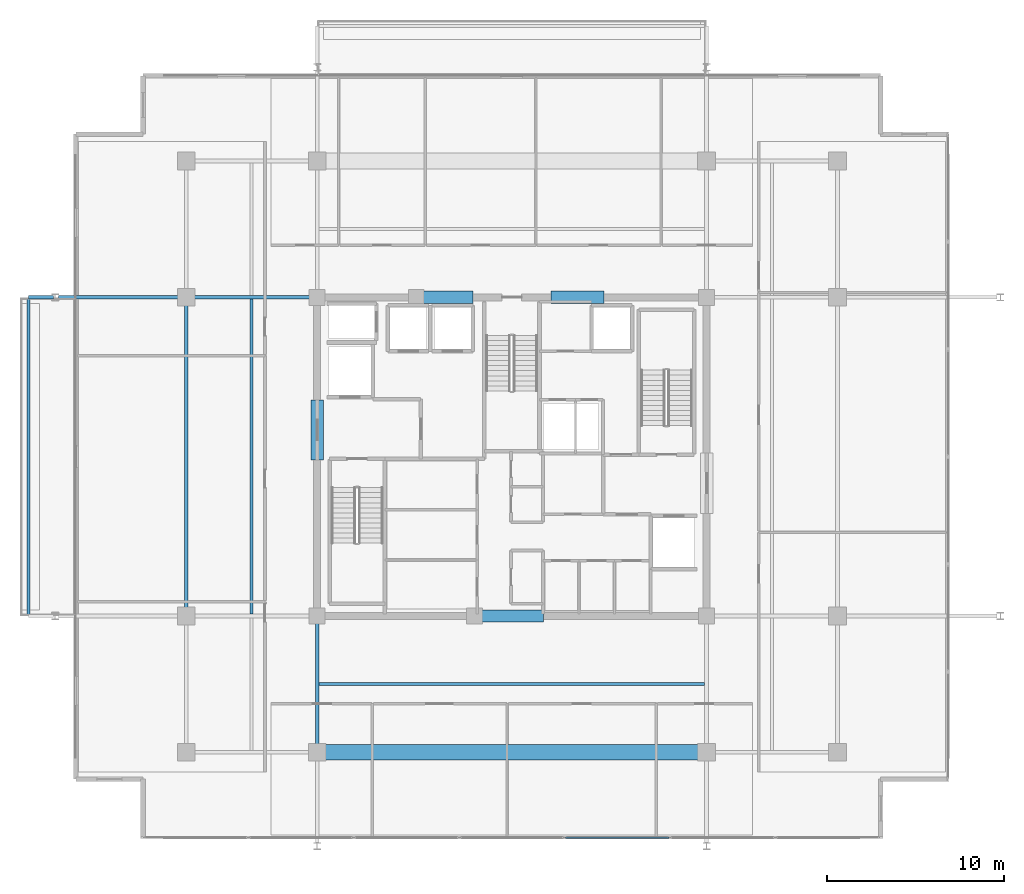
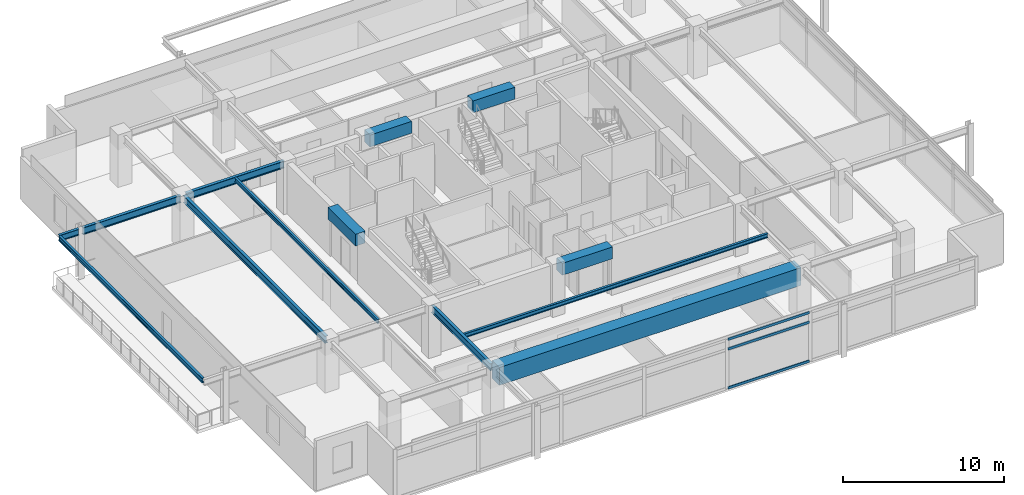
# One storey, part 5 of 20: 13 beams, 3 members, 1 element without a shape of its own.
"""IFC4 building model written with IfcOpenShell, lengths in metres."""

from ifc_helpers import new_model, si_unit, direction, frame, origin, origin_2d, place, context, subcontext, project, spatial, rectangle, hollow_rectangle, i_section, extrude, material, material_profile, profile_set, type_object, element, aggregate, save


model = new_model("IFC4")

# Units and contexts
model_context = context("Model", 3, precision=1e-05, world=origin(), true_north=direction((0.0, 1.0)))
body_context = subcontext(model_context, "Body", "Model", "MODEL_VIEW")
ifc_project = project(units=[si_unit("LENGTHUNIT", "METRE"), si_unit("AREAUNIT", "SQUARE_METRE"), si_unit("VOLUMEUNIT", "CUBIC_METRE"), si_unit("PLANEANGLEUNIT", "RADIAN"), si_unit("MASSUNIT", "GRAM", prefix="KILO")], contexts=[model_context])

# Site, building, storey
site_placement = place(None, origin())
site = spatial("IfcSite", under=ifc_project, at=site_placement, CompositionType="ELEMENT")
building_placement = place(site_placement, origin())
building = spatial("IfcBuilding", under=site, at=building_placement, Name="Kovane Verandah Tower", CompositionType="ELEMENT")
storey_placement = place(building_placement, frame((0.0, 0.0, 330.800048828125)))
storey = spatial("IfcBuildingStorey", under=building, at=storey_placement, Name="L77", CompositionType="ELEMENT", Elevation=330.800048828125)

# Beams
ifc_material_1 = material(Name="Concrete C60/75", Category="concrete")
ifc_material_profile_1 = material_profile(ifc_material_1, rectangle(XDim=0.699951171875, YDim=0.89990234375, at=origin_2d()), Name="RCB700x900")
ifc_profile_set_1 = profile_set([ifc_material_profile_1], Name="Concrete C60/75")
beam_type_1 = type_object("IfcBeamType", Name="BM-LINTEL-700x900", PredefinedType="LINTEL", material=ifc_profile_set_1)
beam_1_placement = place(storey_placement, frame((38.199951171875, 18.5, 3.3349609375), z_axis=(1.0, 0.0, 0.0), x_axis=(0.0, 1.0, 0.0)))
element("IfcBeam", 1, at=beam_1_placement, inside=storey, type_object=beam_type_1, Name="L77 Core Coupling Lintel CL-S", PredefinedType="LINTEL", context=body_context, shape_type="SweptSolid", body=[
    extrude(rectangle(XDim=0.699951171875, YDim=0.89990234375, at=origin_2d()), origin(), (0.0, 0.0, 1.0), 3.60009765625),
])
for number, where, z_axis, x_axis, name in (
    (2, (34.800048828125, 36.5, 3.3349609375), (1.0, 0.0, 0.0), (0.0, 1.0, 0.0), "L77 Core Coupling Lintel CL-N1"),
    (3, (42.199951171875, 36.5, 3.3349609375), (1.0, 0.0, 0.0), (0.0, 1.0, 0.0), "L77 Core Coupling Lintel CL-N2"),
):
    element("IfcBeam", number, at=place(storey_placement, frame(where, z_axis=z_axis, x_axis=x_axis)), inside=storey, type_object=beam_type_1, Name=name, PredefinedType="LINTEL", context=body_context, shape_type="SweptSolid", body=[
        extrude(rectangle(XDim=0.699951171875, YDim=0.89990234375, at=origin_2d()), origin(), (0.0, 0.0, 1.0), 3.0),
    ])
beam_2_placement = place(storey_placement, frame((29.0, 27.300048828125, 3.3349609375), z_axis=(0.0, 1.0, 0.0), x_axis=(-1.0, 0.0, 0.0)))
element("IfcBeam", 4, at=beam_2_placement, inside=storey, type_object=beam_type_1, Name="L77 Core Coupling Lintel CL-W", PredefinedType="LINTEL", context=body_context, shape_type="SweptSolid", body=[
    extrude(rectangle(XDim=0.699951171875, YDim=0.89990234375, at=origin_2d()), origin(), (0.0, 0.0, 1.0), 3.39990234375),
])
ifc_material_2 = material(Name="Concrete C80/95", Category="concrete")
ifc_material_profile_2 = material_profile(ifc_material_2, rectangle(XDim=0.89990234375, YDim=1.35009765625, at=origin_2d()), Name="RCB900x1350")
ifc_profile_set_2 = profile_set([ifc_material_profile_2], Name="Concrete C80/95")
beam_type_2 = type_object("IfcBeamType", Name="BM-TR-900x1350", PredefinedType="BEAM", material=ifc_profile_set_2)
beam_3_placement = place(storey_placement, frame((29.179931640625, 10.800048828125, 3.10986328125), z_axis=(1.0, 0.0, 0.0), x_axis=(0.0, 1.0, 0.0)))
element("IfcBeam", 5, at=beam_3_placement, inside=storey, type_object=beam_type_2, Name="L77 Primary Tower Girder G-RS2", PredefinedType="BEAM", context=body_context, shape_type="SweptSolid", body=[
    extrude(rectangle(XDim=0.89990234375, YDim=1.35009765625, at=origin_2d()), origin(), (0.0, 0.0, 1.0), 21.64013671875),
])
ifc_material_3 = material(Name="Steel S355", Category="steel")
ifc_material_profile_3 = material_profile(ifc_material_3, i_section(OverallWidth=0.2119140625, OverallDepth=0.54443359375, WebThickness=0.0126953125, FlangeThickness=0.021240234375, FilletRadius=0.0126953125, at=origin_2d()), Name="UB533x210x122")
ifc_profile_set_3 = profile_set([ifc_material_profile_3], Name="Steel S355")
beam_type_3 = type_object("IfcBeamType", Name="BM-UB533x122", PredefinedType="BEAM", material=ifc_profile_set_3)
beam_4_placement = place(storey_placement, frame((21.60009765625, 18.679931640625, 3.5126953125), z_axis=(0.0, 1.0, 0.0), x_axis=(-1.0, 0.0, 0.0)))
element("IfcBeam", 6, at=beam_4_placement, inside=storey, type_object=beam_type_3, Name="L77 Primary Tower Girder G-RW2", PredefinedType="BEAM", context=body_context, shape_type="SweptSolid", body=[
    extrude(i_section(OverallWidth=0.2119140625, OverallDepth=0.54443359375, WebThickness=0.0126953125, FlangeThickness=0.021240234375, FilletRadius=0.0126953125, at=origin_2d()), origin(), (0.0, 0.0, 1.0), 17.64013671875),
])
beam_5_placement = place(storey_placement, frame((28.820068359375, 36.5, 3.5126953125), z_axis=(-1.0, 0.0, 0.0), x_axis=(0.0, -1.0, 0.0)))
element("IfcBeam", 7, at=beam_5_placement, inside=storey, type_object=beam_type_3, Name="L77 Primary Tower Girder G-W2", PredefinedType="BEAM", context=body_context, shape_type="SweptSolid", body=[
    extrude(i_section(OverallWidth=0.2119140625, OverallDepth=0.54443359375, WebThickness=0.0126953125, FlangeThickness=0.021240234375, FilletRadius=0.0126953125, at=origin_2d()), origin(), (0.0, 0.0, 1.0), 7.0400390625),
])
beam_6_placement = place(storey_placement, frame((29.0, 18.320068359375, 3.5126953125), z_axis=(0.0, -1.0, 0.0), x_axis=(1.0, 0.0, 0.0)))
element("IfcBeam", 8, at=beam_6_placement, inside=storey, type_object=beam_type_3, Name="L77 Primary Tower Girder G-S1", PredefinedType="BEAM", context=body_context, shape_type="SweptSolid", body=[
    extrude(i_section(OverallWidth=0.2119140625, OverallDepth=0.54443359375, WebThickness=0.0126953125, FlangeThickness=0.021240234375, FilletRadius=0.0126953125, at=origin_2d()), origin(), (0.0, 0.0, 1.0), 7.340087890625),
])
beam_7_placement = place(storey_placement, frame((21.419921875, 36.5, 3.48779296875), z_axis=(-1.0, 0.0, 0.0), x_axis=(0.0, -1.0, 0.0)))
element("IfcBeam", 9, at=beam_7_placement, inside=storey, type_object=beam_type_3, Name="L77 Primary Tower Girder G-VW2", PredefinedType="BEAM", context=body_context, shape_type="SweptSolid", body=[
    extrude(i_section(OverallWidth=0.2119140625, OverallDepth=0.54443359375, WebThickness=0.0126953125, FlangeThickness=0.021240234375, FilletRadius=0.0126953125, at=origin_2d()), origin(), (0.0, 0.0, 1.0), 7.0400390625),
])

# Curtain wall, members
ifc_material_4 = material(Name="Champagne Anodised Aluminium Frame with Low-E Clear Laminated Glass", Category="aluminium")
curtain_wall_type = type_object("IfcCurtainWallType", Name="CW-SYS-05-HIGH", PredefinedType="NOTDEFINED", material=ifc_material_4)
curtain_wall_placement = place(storey_placement, origin())
curtain_wall = element("IfcCurtainWall", 10, at=curtain_wall_placement, inside=storey, type_object=curtain_wall_type, Name="L77 S Unitised Curtain Wall", PredefinedType="NOTDEFINED")
ifc_material_5 = material(Name="Champagne Anodised Aluminium 6063-T6", Category="aluminium")
ifc_material_profile_4 = material_profile(ifc_material_5, hollow_rectangle(XDim=0.0849609375, YDim=0.18994140625, WallThickness=0.00390625, at=origin_2d()), Name="AL85x190x4")
ifc_profile_set_4 = profile_set([ifc_material_profile_4], Name="Champagne Anodised Aluminium 6063-T6")
member_type = type_object("IfcMemberType", Name="CW-TRN-85x190", PredefinedType="USERDEFINED", material=ifc_profile_set_4)
member_1_placement = place(storey_placement, frame((43.026611328125, 5.981689453125, 0.050048828125), z_axis=(1.0, 0.0, 0.0), x_axis=(0.0, 1.0, 0.0)))
member_1 = element("IfcMember", 11, at=member_1_placement, type_object=member_type, Name="L77 S Unitised Curtain Wall Transom TB Bay 5", ObjectType="TRANSOM", PredefinedType="USERDEFINED", context=body_context, shape_type="SweptSolid", body=[
    extrude(hollow_rectangle(XDim=0.0849609375, YDim=0.18994140625, WallThickness=0.00390625, at=origin_2d()), origin(), (0.0, 0.0, 1.0), 5.853271484375),
])
member_2_placement = place(storey_placement, frame((43.026611328125, 5.981689453125, 3.0048828125), z_axis=(1.0, 0.0, 0.0), x_axis=(0.0, 1.0, 0.0)))
member_2 = element("IfcMember", 12, at=member_2_placement, type_object=member_type, Name="L77 S Unitised Curtain Wall Transom TM Bay 5", ObjectType="TRANSOM", PredefinedType="USERDEFINED", context=body_context, shape_type="SweptSolid", body=[
    extrude(hollow_rectangle(XDim=0.0849609375, YDim=0.18994140625, WallThickness=0.00390625, at=origin_2d()), origin(), (0.0, 0.0, 1.0), 5.853271484375),
])
member_3_placement = place(storey_placement, frame((43.026611328125, 5.981689453125, 3.73486328125), z_axis=(1.0, 0.0, 0.0), x_axis=(0.0, 1.0, 0.0)))
member_3 = element("IfcMember", 13, at=member_3_placement, type_object=member_type, Name="L77 S Unitised Curtain Wall Transom TT Bay 5", ObjectType="TRANSOM", PredefinedType="USERDEFINED", context=body_context, shape_type="SweptSolid", body=[
    extrude(hollow_rectangle(XDim=0.0849609375, YDim=0.18994140625, WallThickness=0.00390625, at=origin_2d()), origin(), (0.0, 0.0, 1.0), 5.853271484375),
])
aggregate(curtain_wall, [member_1, member_2, member_3])

# Beams
ifc_material_profile_5 = material_profile(ifc_material_3, i_section(OverallWidth=0.1669921875, OverallDepth=0.310302734375, WebThickness=0.0078125, FlangeThickness=0.013671875, FilletRadius=0.0087890625, at=origin_2d()), Name="UB305x165x54")
ifc_profile_set_5 = profile_set([ifc_material_profile_5], Name="Steel S355")
beam_type_4 = type_object("IfcBeamType", Name="JST-UB305x54", PredefinedType="JOIST", material=ifc_profile_set_5)
beam_8_placement = place(storey_placement, frame((29.10400390625, 14.64990234375, 3.629638671875), z_axis=(1.0, 0.0, 0.0), x_axis=(0.0, 1.0, 0.0)))
element("IfcBeam", 14, at=beam_8_placement, inside=storey, type_object=beam_type_4, Name="L77 Secondary Composite Joist J-S1", PredefinedType="JOIST", context=body_context, shape_type="SweptSolid", body=[
    extrude(i_section(OverallWidth=0.1669921875, OverallDepth=0.310302734375, WebThickness=0.0078125, FlangeThickness=0.013671875, FilletRadius=0.0087890625, at=origin_2d()), origin(), (0.0, 0.0, 1.0), 21.7919921875),
])
beam_9_placement = place(storey_placement, frame((25.300048828125, 18.60400390625, 3.629638671875), z_axis=(0.0, 1.0, 0.0), x_axis=(-1.0, 0.0, 0.0)))
element("IfcBeam", 15, at=beam_9_placement, inside=storey, type_object=beam_type_4, Name="L77 Secondary Composite Joist J-W1", PredefinedType="JOIST", context=body_context, shape_type="SweptSolid", body=[
    extrude(i_section(OverallWidth=0.1669921875, OverallDepth=0.310302734375, WebThickness=0.0078125, FlangeThickness=0.013671875, FilletRadius=0.0087890625, at=origin_2d()), origin(), (0.0, 0.0, 1.0), 17.7919921875),
])
ifc_material_profile_6 = material_profile(ifc_material_3, i_section(OverallWidth=0.19287109375, OverallDepth=0.46728515625, WebThickness=0.011474609375, FlangeThickness=0.01953125, FilletRadius=0.01025390625, at=origin_2d()), Name="UB457x191x98")
ifc_profile_set_6 = profile_set([ifc_material_profile_6], Name="Steel S355")
beam_type_5 = type_object("IfcBeamType", Name="JST-UB457x98", PredefinedType="JOIST", material=ifc_profile_set_6)
beam_10_placement = place(storey_placement, frame((14.1201171875, 36.5, 3.5263671875), z_axis=(-1.0, 0.0, 0.0), x_axis=(0.0, -1.0, 0.0)))
element("IfcBeam", 16, at=beam_10_placement, inside=storey, type_object=beam_type_5, Name="L77 West Planter Girder 2", PredefinedType="JOIST", context=body_context, shape_type="SweptSolid", body=[
    extrude(i_section(OverallWidth=0.19287109375, OverallDepth=0.46728515625, WebThickness=0.011474609375, FlangeThickness=0.01953125, FilletRadius=0.01025390625, at=origin_2d()), origin(), (0.0, 0.0, 1.0), 1.41455078125),
])
ifc_material_profile_7 = material_profile(ifc_material_3, i_section(OverallWidth=0.173095703125, OverallDepth=0.36328125, WebThickness=0.009033203125, FlangeThickness=0.015625, FilletRadius=0.01025390625, at=origin_2d()), Name="UB356x171x67")
ifc_profile_set_7 = profile_set([ifc_material_profile_7], Name="Steel S355")
beam_type_6 = type_object("IfcBeamType", Name="SPD-UB356x67", PredefinedType="USERDEFINED", material=ifc_profile_set_7)
beam_11_placement = place(storey_placement, frame((12.70556640625, 18.594482421875, 3.578369140625), z_axis=(0.0, 1.0, 0.0), x_axis=(-1.0, 0.0, 0.0)))
element("IfcBeam", 17, at=beam_11_placement, inside=storey, type_object=beam_type_6, Name="L77 West Planter Edge Spandrel", ObjectType="SPANDREL", PredefinedType="USERDEFINED", context=body_context, shape_type="SweptSolid", body=[
    extrude(i_section(OverallWidth=0.173095703125, OverallDepth=0.36328125, WebThickness=0.009033203125, FlangeThickness=0.015625, FilletRadius=0.01025390625, at=origin_2d()), origin(), (0.0, 0.0, 1.0), 17.81103515625),
])

save(model, "model.ifc")
